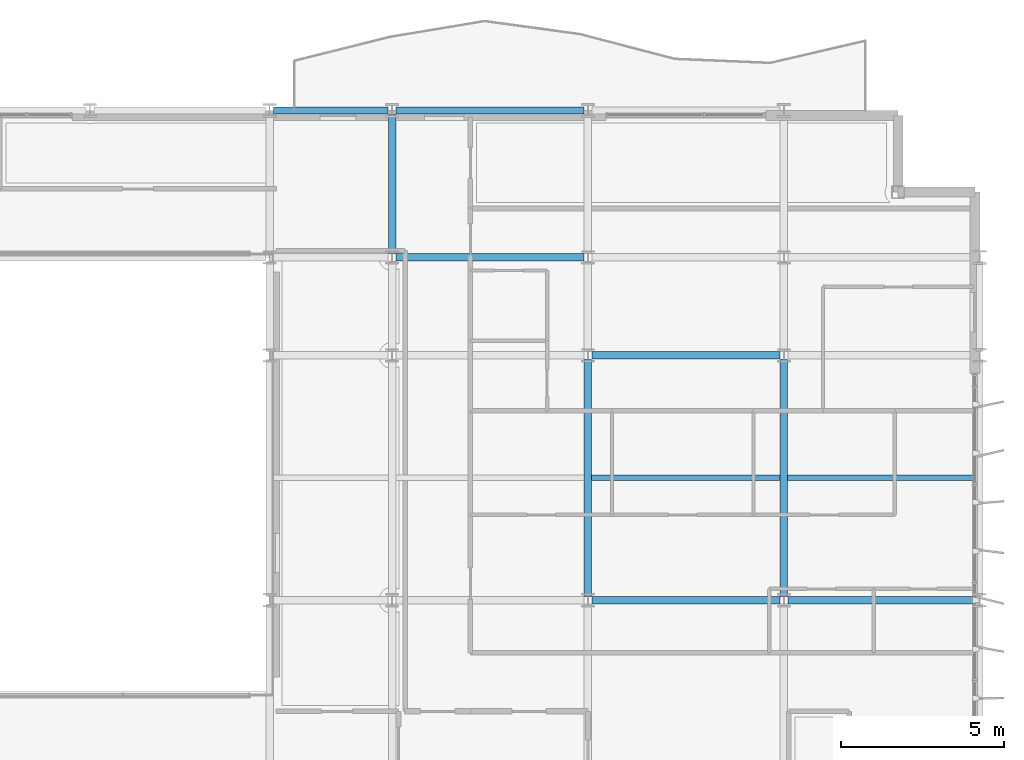
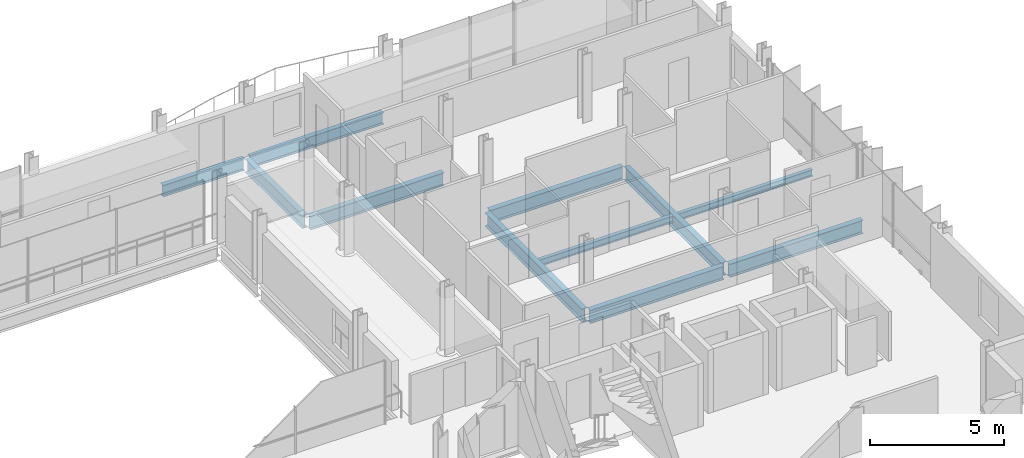
# One storey, part 20 of 38: 11 beams.
"""IFC4 building model written with IfcOpenShell, lengths in metres."""

from ifc_helpers import new_model, si_unit, direction, frame, origin, origin_2d, place, context, subcontext, project, spatial, i_section, extrude, material, material_profile, profile_set, type_object, element, save


model = new_model("IFC4")

# Units and contexts
model_context = context("Model", 3, precision=1e-05, world=origin(), true_north=direction((0.0, 1.0)))
body_context = subcontext(model_context, "Body", "Model", "MODEL_VIEW")
ifc_project = project(units=[si_unit("LENGTHUNIT", "METRE"), si_unit("AREAUNIT", "SQUARE_METRE"), si_unit("VOLUMEUNIT", "CUBIC_METRE"), si_unit("PLANEANGLEUNIT", "RADIAN"), si_unit("MASSUNIT", "GRAM", prefix="KILO")], contexts=[model_context])

# Site, building, storey
site_placement = place(None, origin())
site = spatial("IfcSite", under=ifc_project, at=site_placement, CompositionType="ELEMENT")
building_placement = place(site_placement, origin())
building = spatial("IfcBuilding", under=site, at=building_placement, Name="Brevholm Reach", CompositionType="ELEMENT")
storey_placement = place(building_placement, frame((0.0, 0.0, 166.60009765625)))
storey = spatial("IfcBuildingStorey", under=building, at=storey_placement, Name="L50", CompositionType="ELEMENT", Elevation=166.60009765625)

# Beams
ifc_material_1 = material(Name="Structural Steel S355J2", Category="steel")
ifc_material_profile_1 = material_profile(ifc_material_1, i_section(OverallWidth=0.1650390625, OverallDepth=0.303466796875, WebThickness=0.006103515625, FlangeThickness=0.01025390625, FilletRadius=0.0087890625, at=origin_2d()), Name="UKB 305x165x40")
ifc_profile_set_1 = profile_set([ifc_material_profile_1], Name="Structural Steel S355J2")
beam_type_1 = type_object("IfcBeamType", Name="BM-B305", PredefinedType="BEAM", material=ifc_profile_set_1)
beam_1_placement = place(storey_placement, frame((48.114501953125, 19.75, -0.371826171875), z_axis=(1.0, 0.0, 0.0), x_axis=(0.0, 1.0, 0.0)))
element("IfcBeam", 1, at=beam_1_placement, inside=storey, type_object=beam_type_1, Name="L50 Composite Secondary Floor Beam", PredefinedType="BEAM", context=body_context, shape_type="SweptSolid", body=[
    extrude(i_section(OverallWidth=0.1650390625, OverallDepth=0.303466796875, WebThickness=0.006103515625, FlangeThickness=0.01025390625, FilletRadius=0.0087890625, at=origin_2d()), origin(), (0.0, 0.0, 1.0), 5.77099609375),
])
beam_2_placement = place(storey_placement, frame((54.114501953125, 19.75, -0.371826171875), z_axis=(1.0, 0.0, 0.0), x_axis=(0.0, 1.0, 0.0)))
element("IfcBeam", 2, at=beam_2_placement, inside=storey, type_object=beam_type_1, Name="L50 Composite Secondary Floor Beam", PredefinedType="BEAM", context=body_context, shape_type="SweptSolid", body=[
    extrude(i_section(OverallWidth=0.1650390625, OverallDepth=0.303466796875, WebThickness=0.006103515625, FlangeThickness=0.01025390625, FilletRadius=0.0087890625, at=origin_2d()), origin(), (0.0, 0.0, 1.0), 5.78076171875),
])
ifc_material_2 = material(Name="Structural Steel S355J2", Category="steel")
ifc_material_profile_2 = material_profile(ifc_material_2, i_section(OverallWidth=0.209228515625, OverallDepth=0.533203125, WebThickness=0.010009765625, FlangeThickness=0.015625, FilletRadius=0.0126953125, at=origin_2d()), Name="UKB 533x210x92")
ifc_profile_set_2 = profile_set([ifc_material_profile_2], Name="Structural Steel S355J2")
beam_type_2 = type_object("IfcBeamType", Name="BM-SP533", PredefinedType="SPANDREL", material=ifc_profile_set_2)
beam_3_placement = place(storey_placement, frame((38.3701171875, 31.0, -0.486572265625), z_axis=(1.0, 0.0, 0.0), x_axis=(0.0, 1.0, 0.0)))
element("IfcBeam", 3, at=beam_3_placement, inside=storey, type_object=beam_type_2, Name="L50 SP-02 Framing Beam", PredefinedType="SPANDREL", context=body_context, shape_type="SweptSolid", body=[
    extrude(i_section(OverallWidth=0.209228515625, OverallDepth=0.533203125, WebThickness=0.010009765625, FlangeThickness=0.015625, FilletRadius=0.0126953125, at=origin_2d()), origin(), (0.0, 0.0, 1.0), 3.509765625),
])
beam_4_placement = place(storey_placement, frame((42.1201171875, 31.0, -0.486572265625), z_axis=(1.0, 0.0, 0.0), x_axis=(0.0, 1.0, 0.0)))
element("IfcBeam", 4, at=beam_4_placement, inside=storey, type_object=beam_type_2, Name="L50 SP-02 Framing Beam", PredefinedType="SPANDREL", context=body_context, shape_type="SweptSolid", body=[
    extrude(i_section(OverallWidth=0.209228515625, OverallDepth=0.533203125, WebThickness=0.010009765625, FlangeThickness=0.015625, FilletRadius=0.0126953125, at=origin_2d()), origin(), (0.0, 0.0, 1.0), 5.759765625),
])
ifc_material_3 = material(Name="Structural Steel S355J2", Category="steel")
ifc_material_profile_3 = material_profile(ifc_material_3, i_section(OverallWidth=0.22900390625, OverallDepth=0.6123046875, WebThickness=0.011962890625, FlangeThickness=0.01953125, FilletRadius=0.0126953125, at=origin_2d()), Name="UKB 610x229x125")
ifc_profile_set_3 = profile_set([ifc_material_profile_3], Name="Structural Steel S355J2")
beam_type_3 = type_object("IfcBeamType", Name="BM-SP610", PredefinedType="SPANDREL", material=ifc_profile_set_3)
for number, where, z_axis, x_axis, name in (
    (5, (48.1201171875, 16.0, -0.526123046875), (1.0, 0.0, 0.0), (0.0, 1.0, 0.0), "L50 SP-01 Framing Beam"),
    (6, (54.1201171875, 16.0, -0.526123046875), (1.0, 0.0, 0.0), (0.0, 1.0, 0.0), "L50 SP-01 Framing Beam"),
    (7, (48.1201171875, 23.5, -0.526123046875), (1.0, 0.0, 0.0), (0.0, 1.0, 0.0), "L50 SP-01 Framing Beam"),
    (8, (42.1201171875, 26.5, -0.526123046875), (1.0, 0.0, 0.0), (0.0, 1.0, 0.0), "L50 SP-01 Framing Beam"),
):
    element("IfcBeam", number, at=place(storey_placement, frame(where, z_axis=z_axis, x_axis=x_axis)), inside=storey, type_object=beam_type_3, Name=name, PredefinedType="SPANDREL", context=body_context, shape_type="SweptSolid", body=[
        extrude(i_section(OverallWidth=0.22900390625, OverallDepth=0.6123046875, WebThickness=0.011962890625, FlangeThickness=0.01953125, FilletRadius=0.0126953125, at=origin_2d()), origin(), (0.0, 0.0, 1.0), 5.759765625),
    ])
beam_5_placement = place(storey_placement, frame((42.0, 26.6201171875, -0.526123046875), z_axis=(0.0, 1.0, 0.0), x_axis=(-1.0, 0.0, 0.0)))
element("IfcBeam", 9, at=beam_5_placement, inside=storey, type_object=beam_type_3, Name="L50 SP-01 Framing Beam", PredefinedType="SPANDREL", context=body_context, shape_type="SweptSolid", body=[
    extrude(i_section(OverallWidth=0.22900390625, OverallDepth=0.6123046875, WebThickness=0.011962890625, FlangeThickness=0.01953125, FilletRadius=0.0126953125, at=origin_2d()), origin(), (0.0, 0.0, 1.0), 4.259765625),
])
for number, where, z_axis, x_axis, name in (
    (10, (48.0, 16.1201171875, -0.526123046875), (0.0, 1.0, 0.0), (-1.0, 0.0, 0.0), "L50 SP-01 Framing Beam"),
    (11, (54.0, 16.1201171875, -0.526123046875), (0.0, 1.0, 0.0), (-1.0, 0.0, 0.0), "L50 SP-01 Framing Beam"),
):
    element("IfcBeam", number, at=place(storey_placement, frame(where, z_axis=z_axis, x_axis=x_axis)), inside=storey, type_object=beam_type_3, Name=name, PredefinedType="SPANDREL", context=body_context, shape_type="SweptSolid", body=[
        extrude(i_section(OverallWidth=0.22900390625, OverallDepth=0.6123046875, WebThickness=0.011962890625, FlangeThickness=0.01953125, FilletRadius=0.0126953125, at=origin_2d()), origin(), (0.0, 0.0, 1.0), 7.259765625),
    ])

save(model, "model.ifc")
